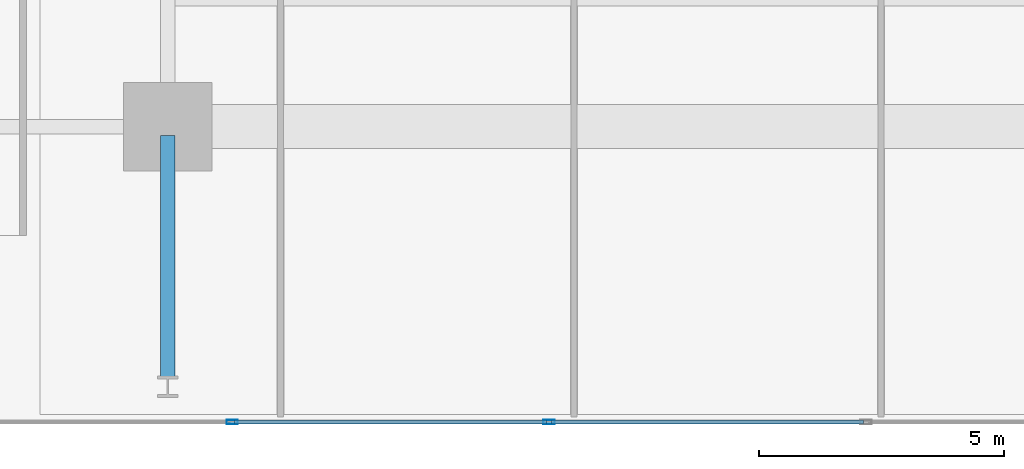
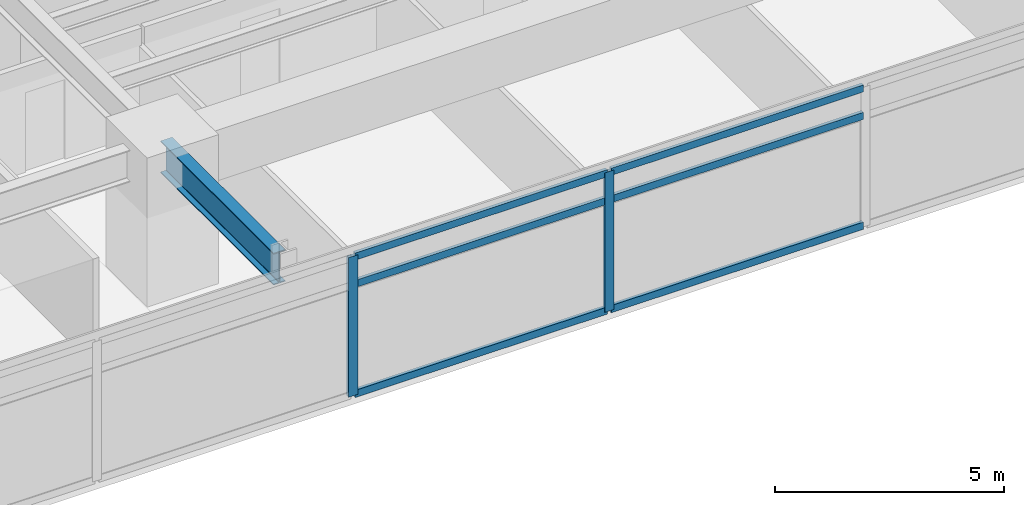
# One storey, part 4 of 22: 8 members, 1 beam, 1 element without a shape of its own.
"""IFC4 building model written with IfcOpenShell, lengths in metres."""

from ifc_helpers import new_model, si_unit, direction, frame, origin, origin_2d, place, context, subcontext, project, spatial, hollow_rectangle, i_section, extrude, material, material_profile, profile_set, type_object, element, aggregate, save


model = new_model("IFC4")

# Units and contexts
model_context = context("Model", 3, precision=1e-05, world=origin(), true_north=direction((0.0, 1.0)))
body_context = subcontext(model_context, "Body", "Model", "MODEL_VIEW")
ifc_project = project(units=[si_unit("LENGTHUNIT", "METRE"), si_unit("AREAUNIT", "SQUARE_METRE"), si_unit("VOLUMEUNIT", "CUBIC_METRE"), si_unit("PLANEANGLEUNIT", "RADIAN"), si_unit("MASSUNIT", "GRAM", prefix="KILO")], contexts=[model_context])

# Site, building, storey
site_placement = place(None, origin())
site = spatial("IfcSite", under=ifc_project, at=site_placement, CompositionType="ELEMENT")
building_placement = place(site_placement, origin())
building = spatial("IfcBuilding", under=site, at=building_placement, Name="Kovane Verandah Tower", CompositionType="ELEMENT")
storey_placement = place(building_placement, frame((0.0, 0.0, 99.60009765625)))
storey = spatial("IfcBuildingStorey", under=building, at=storey_placement, Name="L23", CompositionType="ELEMENT", Elevation=99.60009765625)

# Beam
ifc_material_1 = material(Name="Steel S355", Category="steel")
ifc_material_profile_1 = material_profile(ifc_material_1, i_section(OverallWidth=0.293701171875, OverallDepth=0.850830078125, WebThickness=0.01611328125, FlangeThickness=0.02685546875, FilletRadius=0.017822265625, at=origin_2d()), Name="UB838x292x226")
ifc_profile_set_1 = profile_set([ifc_material_profile_1], Name="Steel S355")
beam_type = type_object("IfcBeamType", Name="BM-UB838x226", PredefinedType="BEAM", material=ifc_profile_set_1)
beam_placement = place(storey_placement, frame((29.0, 10.6201171875, 3.33447265625), z_axis=(0.0, -1.0, 0.0), x_axis=(1.0, 0.0, 0.0)))
element("IfcBeam", 1, at=beam_placement, inside=storey, type_object=beam_type, Name="L23 Primary Tower Girder G-VS1", PredefinedType="BEAM", context=body_context, shape_type="SweptSolid", body=[
    extrude(i_section(OverallWidth=0.293701171875, OverallDepth=0.850830078125, WebThickness=0.01611328125, FlangeThickness=0.02685546875, FilletRadius=0.017822265625, at=origin_2d()), origin(), (0.0, 0.0, 1.0), 4.940185546875),
])

# Curtain wall, members
ifc_material_2 = material(Name="Champagne Anodised Aluminium Frame with Low-E Clear Laminated Glass", Category="aluminium")
curtain_wall_type = type_object("IfcCurtainWallType", Name="CW-SYS-02-LOW", PredefinedType="NOTDEFINED", material=ifc_material_2)
curtain_wall_placement = place(storey_placement, origin())
curtain_wall = element("IfcCurtainWall", 2, at=curtain_wall_placement, inside=storey, type_object=curtain_wall_type, Name="L23 S Unitised Curtain Wall", PredefinedType="NOTDEFINED")
ifc_material_3 = material(Name="Champagne Anodised Aluminium 6063-T6", Category="aluminium")
ifc_material_profile_2 = material_profile(ifc_material_3, hollow_rectangle(XDim=0.0849609375, YDim=0.22998046875, WallThickness=0.00390625, at=origin_2d()), Name="AL85x230x4")
ifc_profile_set_2 = profile_set([ifc_material_profile_2], Name="Champagne Anodised Aluminium 6063-T6")
member_type_1 = type_object("IfcMemberType", Name="CW-MUL-85x230", PredefinedType="MULLION", material=ifc_profile_set_2)
member_1_placement = place(storey_placement, frame((30.31494140625, 4.781005859375, 0.02001953125), z_axis=(0.0, 0.0, 1.0), x_axis=(0.0, -1.0, 0.0)))
member_1 = element("IfcMember", 3, at=member_1_placement, type_object=member_type_1, Name="L23 S Unitised Curtain Wall Mullion 3", PredefinedType="MULLION", context=body_context, shape_type="SweptSolid", body=[
    extrude(hollow_rectangle(XDim=0.0849609375, YDim=0.22998046875, WallThickness=0.00390625, at=origin_2d()), origin(), (0.0, 0.0, 1.0), 3.719970703125),
])
member_2_placement = place(storey_placement, frame((36.771484375, 4.781005859375, 0.02001953125), z_axis=(0.0, 0.0, 1.0), x_axis=(0.0, -1.0, 0.0)))
member_2 = element("IfcMember", 4, at=member_2_placement, type_object=member_type_1, Name="L23 S Unitised Curtain Wall Mullion 4", PredefinedType="MULLION", context=body_context, shape_type="SweptSolid", body=[
    extrude(hollow_rectangle(XDim=0.0849609375, YDim=0.22998046875, WallThickness=0.00390625, at=origin_2d()), origin(), (0.0, 0.0, 1.0), 3.719970703125),
])
ifc_material_profile_3 = material_profile(ifc_material_3, hollow_rectangle(XDim=0.0849609375, YDim=0.18994140625, WallThickness=0.00390625, at=origin_2d()), Name="AL85x190x4")
ifc_profile_set_3 = profile_set([ifc_material_profile_3], Name="Champagne Anodised Aluminium 6063-T6")
member_type_2 = type_object("IfcMemberType", Name="CW-TRN-85x190", PredefinedType="USERDEFINED", material=ifc_profile_set_3)
member_3_placement = place(storey_placement, frame((30.364990234375, 4.781005859375, 0.0498046875), z_axis=(1.0, 0.0, 0.0), x_axis=(0.0, 1.0, 0.0)))
member_3 = element("IfcMember", 5, at=member_3_placement, type_object=member_type_2, Name="L23 S Unitised Curtain Wall Transom TB Bay 3", ObjectType="TRANSOM", PredefinedType="USERDEFINED", context=body_context, shape_type="SweptSolid", body=[
    extrude(hollow_rectangle(XDim=0.0849609375, YDim=0.18994140625, WallThickness=0.00390625, at=origin_2d()), origin(), (0.0, 0.0, 1.0), 6.356689453125),
])
member_4_placement = place(storey_placement, frame((30.364990234375, 4.781005859375, 2.97998046875), z_axis=(1.0, 0.0, 0.0), x_axis=(0.0, 1.0, 0.0)))
member_4 = element("IfcMember", 6, at=member_4_placement, type_object=member_type_2, Name="L23 S Unitised Curtain Wall Transom TM Bay 3", ObjectType="TRANSOM", PredefinedType="USERDEFINED", context=body_context, shape_type="SweptSolid", body=[
    extrude(hollow_rectangle(XDim=0.0849609375, YDim=0.18994140625, WallThickness=0.00390625, at=origin_2d()), origin(), (0.0, 0.0, 1.0), 6.356689453125),
])
member_5_placement = place(storey_placement, frame((30.364990234375, 4.781005859375, 3.7099609375), z_axis=(1.0, 0.0, 0.0), x_axis=(0.0, 1.0, 0.0)))
member_5 = element("IfcMember", 7, at=member_5_placement, type_object=member_type_2, Name="L23 S Unitised Curtain Wall Transom TT Bay 3", ObjectType="TRANSOM", PredefinedType="USERDEFINED", context=body_context, shape_type="SweptSolid", body=[
    extrude(hollow_rectangle(XDim=0.0849609375, YDim=0.18994140625, WallThickness=0.00390625, at=origin_2d()), origin(), (0.0, 0.0, 1.0), 6.356689453125),
])
member_6_placement = place(storey_placement, frame((36.821533203125, 4.781005859375, 0.0498046875), z_axis=(1.0, 0.0, 0.0), x_axis=(0.0, 1.0, 0.0)))
member_6 = element("IfcMember", 8, at=member_6_placement, type_object=member_type_2, Name="L23 S Unitised Curtain Wall Transom TB Bay 4", ObjectType="TRANSOM", PredefinedType="USERDEFINED", context=body_context, shape_type="SweptSolid", body=[
    extrude(hollow_rectangle(XDim=0.0849609375, YDim=0.18994140625, WallThickness=0.00390625, at=origin_2d()), origin(), (0.0, 0.0, 1.0), 6.35693359375),
])
member_7_placement = place(storey_placement, frame((36.821533203125, 4.781005859375, 2.97998046875), z_axis=(1.0, 0.0, 0.0), x_axis=(0.0, 1.0, 0.0)))
member_7 = element("IfcMember", 9, at=member_7_placement, type_object=member_type_2, Name="L23 S Unitised Curtain Wall Transom TM Bay 4", ObjectType="TRANSOM", PredefinedType="USERDEFINED", context=body_context, shape_type="SweptSolid", body=[
    extrude(hollow_rectangle(XDim=0.0849609375, YDim=0.18994140625, WallThickness=0.00390625, at=origin_2d()), origin(), (0.0, 0.0, 1.0), 6.35693359375),
])
member_8_placement = place(storey_placement, frame((36.821533203125, 4.781005859375, 3.7099609375), z_axis=(1.0, 0.0, 0.0), x_axis=(0.0, 1.0, 0.0)))
member_8 = element("IfcMember", 10, at=member_8_placement, type_object=member_type_2, Name="L23 S Unitised Curtain Wall Transom TT Bay 4", ObjectType="TRANSOM", PredefinedType="USERDEFINED", context=body_context, shape_type="SweptSolid", body=[
    extrude(hollow_rectangle(XDim=0.0849609375, YDim=0.18994140625, WallThickness=0.00390625, at=origin_2d()), origin(), (0.0, 0.0, 1.0), 6.35693359375),
])
aggregate(curtain_wall, [member_1, member_2, member_3, member_4, member_5, member_6, member_7, member_8])

save(model, "model.ifc")
